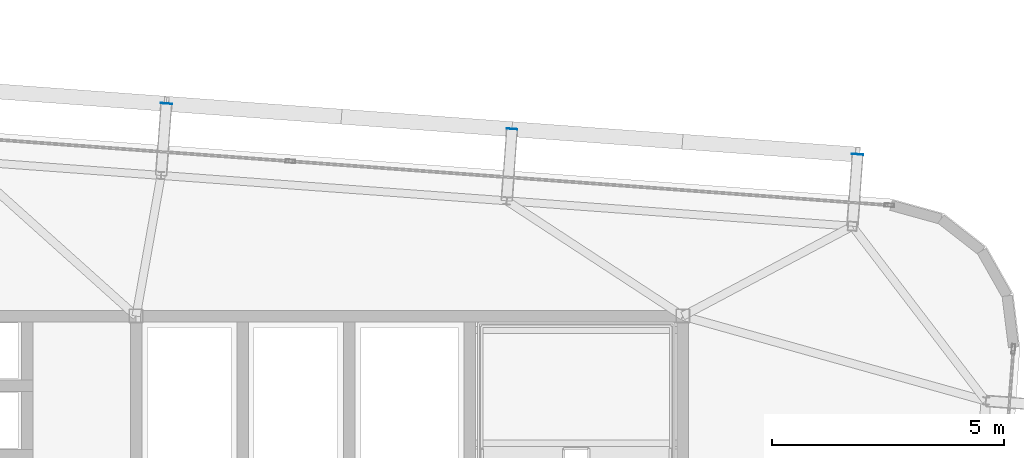
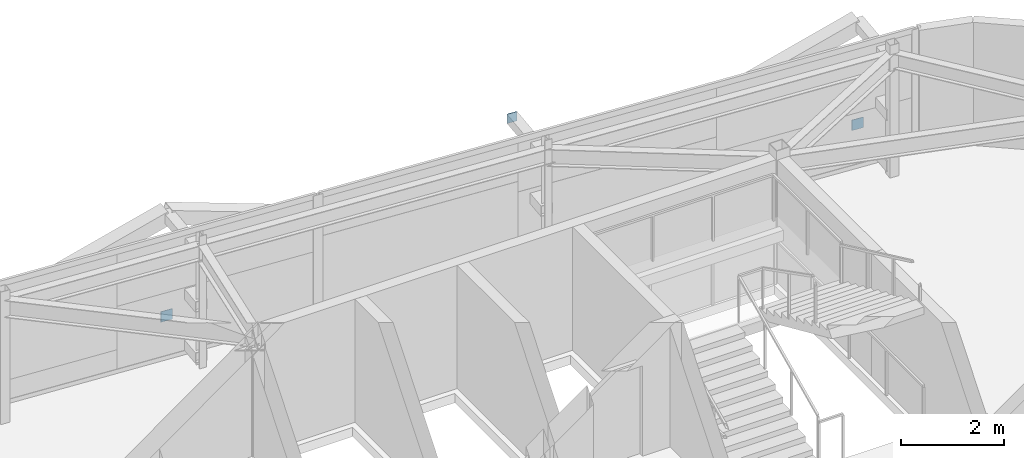
# One storey, part 30 of 34: 3 plates.
"""IFC4 building model written with IfcOpenShell, lengths in metres."""

from ifc_helpers import new_model, si_unit, direction, frame, origin, origin_2d, place, context, subcontext, project, spatial, rectangle, extrude, source, transform, mapped, material, layer, layer_set, type_object, element, save


model = new_model("IFC4")

# Units and contexts
model_context = context("Model", 3, precision=1e-05, world=origin(), true_north=direction((0.0, 1.0)))
body_context = subcontext(model_context, "Body", "Model", "MODEL_VIEW")
ifc_project = project(units=[si_unit("LENGTHUNIT", "METRE"), si_unit("AREAUNIT", "SQUARE_METRE"), si_unit("VOLUMEUNIT", "CUBIC_METRE"), si_unit("PLANEANGLEUNIT", "RADIAN"), si_unit("MASSUNIT", "GRAM", prefix="KILO")], contexts=[model_context])

# Site, building, storey
site_placement = place(None, origin())
site = spatial("IfcSite", under=ifc_project, at=site_placement, CompositionType="ELEMENT")
building_placement = place(site_placement, origin())
building = spatial("IfcBuilding", under=site, at=building_placement, Name="Taldren Reach Tower", CompositionType="ELEMENT")
storey_placement = place(building_placement, frame((0.0, 0.0, 242.89990234375)))
storey = spatial("IfcBuildingStorey", under=building, at=storey_placement, Name="L74", CompositionType="ELEMENT", Elevation=242.89990234375)

# Plates
ifc_material_1 = material(Name="Steel Gr 350 (C350L0)", Category="steel")
ifc_layer_1 = layer(ifc_material_1, 0.011962890625)
ifc_layer_set_1 = layer_set([ifc_layer_1], Name="Steel Gr 350 (C350L0)")
plate_type_1 = type_object("IfcPlateType", Name="PL-CAP-250", PredefinedType="SHEET", material=ifc_layer_set_1)
shared_shape_1 = source(origin(), body_context, "Body", "SweptSolid", [
    extrude(rectangle(XDim=0.25, YDim=0.011962890625, at=origin_2d()), origin(), (0.0, 0.0, 1.0), 0.25),
])
for number, where, z_axis, x_axis, name in (
    (1, (39.853515625, 36.587158203125, 0.09521484375), (0.0, 0.0, 1.0), (0.997314477224, -0.073238197128, 0.0), "Tie strut end cap plate B5-N4 L74"),
    (2, (54.773193359375, 35.49169921875, 0.09521484375), (0.0, 0.0, 1.0), (0.997314477224, -0.073238197128, 0.0), "Tie strut end cap plate B5-N6 L74"),
):
    element("IfcPlate", number, at=place(storey_placement, frame(where, z_axis=z_axis, x_axis=x_axis)), inside=storey, type_object=plate_type_1, Name=name, PredefinedType="SHEET", context=body_context, shape_type="MappedRepresentation", body=[
        mapped(shared_shape_1, transform((0.0, 0.0, 0.0), scale=1.0)),
    ])
ifc_material_2 = material(Name="Steel Gr 450 (C450L0)", Category="steel")
ifc_layer_2 = layer(ifc_material_2, 0.011962890625)
ifc_layer_set_2 = layer_set([ifc_layer_2], Name="Steel Gr 450 (C450L0)")
plate_type_2 = type_object("IfcPlateType", Name="PL-CAP-220", PredefinedType="SHEET", material=ifc_layer_set_2)
shared_shape_2 = source(origin(), body_context, "Body", "SweptSolid", [
    extrude(rectangle(XDim=0.219970703125, YDim=0.011962890625, at=origin_2d()), origin(), (0.0, 0.0, 1.0), 0.219970703125),
])
plate_placement = place(storey_placement, frame((47.3134765625, 36.039306640625, 2.5400390625), z_axis=(0.0, 0.0, 1.0), x_axis=(0.997314477224, -0.073238197128, 0.0)))
element("IfcPlate", 3, at=plate_placement, inside=storey, type_object=plate_type_2, Name="Tie strut end cap plate B5-N5 L74", PredefinedType="SHEET", context=body_context, shape_type="MappedRepresentation", body=[
    mapped(shared_shape_2, transform((0.0, 0.0, 0.0), scale=1.0)),
])

save(model, "model.ifc")
